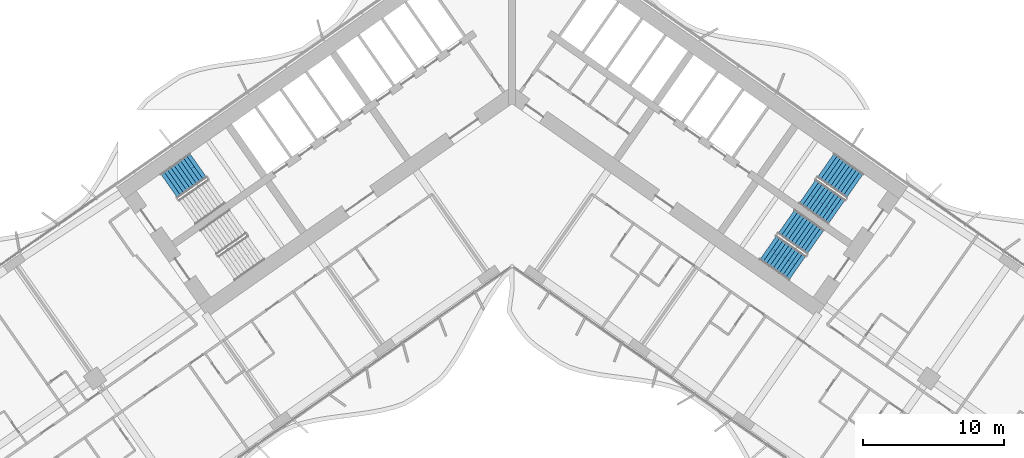
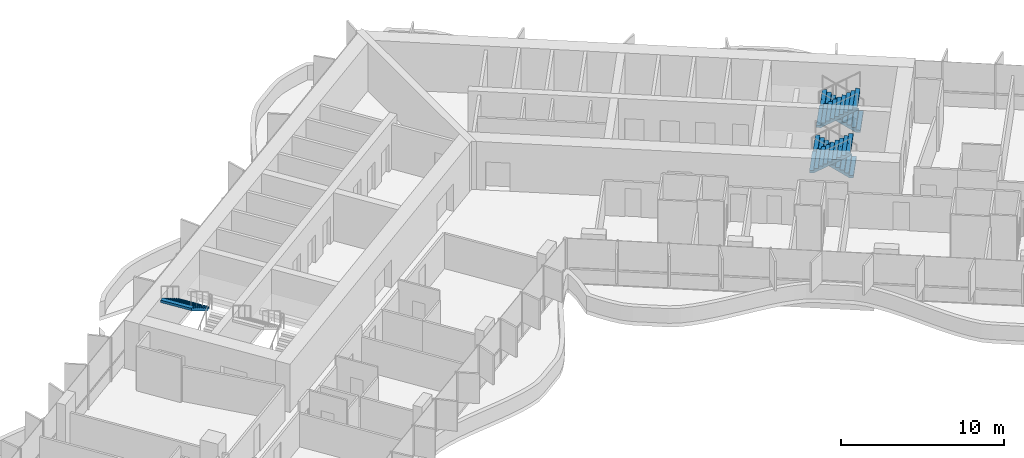
# One storey, part 18 of 24: 5 stair flights, 3 elements without a shape of their own.
"""IFC4 building model written with IfcOpenShell, lengths in metres."""

from ifc_helpers import new_model, si_unit, direction, frame, origin, place, context, subcontext, project, spatial, polyline, outline, extrude, material, type_object, element, aggregate, save


model = new_model("IFC4")

# Units and contexts
model_context = context("Model", 3, precision=1e-05, world=origin(), true_north=direction((0.0, 1.0)))
body_context = subcontext(model_context, "Body", "Model", "MODEL_VIEW")
ifc_project = project(units=[si_unit("LENGTHUNIT", "METRE"), si_unit("AREAUNIT", "SQUARE_METRE"), si_unit("VOLUMEUNIT", "CUBIC_METRE"), si_unit("PLANEANGLEUNIT", "RADIAN"), si_unit("MASSUNIT", "GRAM", prefix="KILO")], contexts=[model_context])

# Site, building, storey
site_placement = place(None, origin())
site = spatial("IfcSite", under=ifc_project, at=site_placement, CompositionType="ELEMENT")
building_placement = place(site_placement, origin())
building = spatial("IfcBuilding", under=site, at=building_placement, Name="Tel Ilan Convention Tower", CompositionType="ELEMENT")
storey_placement = place(building_placement, frame((0.0, 0.0, 65.300048828125)))
storey = spatial("IfcBuildingStorey", under=building, at=storey_placement, Name="L11", CompositionType="ELEMENT", Elevation=65.300048828125)

# Stair, stair flight
ifc_material_1 = material(Name="Concrete C40/50", Category="concrete")
stair_type = type_object("IfcStairType", Name="Pressurised Exit Stair 20 risers 180 mm", PredefinedType="HALF_TURN_STAIR", material=ifc_material_1)
stair_1_placement = place(storey_placement, origin())
stair_1 = element("IfcStair", 1, at=stair_1_placement, inside=storey, type_object=stair_type, Name="L11 Pressurised Stair S1", PredefinedType="HALF_TURN_STAIR")
ifc_material_2 = material(Name="Precast Concrete C40/50", Category="concrete")
stair_flight_type = type_object("IfcStairFlightType", Name="Concrete Stair Flight 2100 mm 20 risers 180 mm", PredefinedType="STRAIGHT", material=ifc_material_2)
stair_flight_1_placement = place(storey_placement, frame((-22.188232421875, -5.5869140625, 1.800048828125), z_axis=(0.0, 0.0, 1.0), x_axis=(-0.819152044289, -0.573576436351, 0.0)))
stair_flight_1 = element("IfcStairFlight", 2, at=stair_flight_1_placement, type_object=stair_flight_type, Name="S1 flight 2", NumberOfRisers=10, NumberOfTreads=9, PredefinedType="STRAIGHT", RiserHeight=0.18, TreadLength=0.28, context=body_context, shape_type="SweptSolid", body=[
    extrude(outline(polyline([(0.0, 0.0), (0.0, 0.179931640625), (0.280029296875, 0.179931640625), (0.280029296875, 0.360107421875), (0.56005859375, 0.360107421875), (0.56005859375, 0.5400390625), (0.840087890625, 0.5400390625), (0.840087890625, 0.719970703125), (1.1201171875, 0.719970703125), (1.1201171875, 0.89990234375), (1.39990234375, 0.89990234375), (1.39990234375, 1.080078125), (1.679931640625, 1.080078125), (1.679931640625, 1.260009765625), (1.9599609375, 1.260009765625), (1.9599609375, 1.43994140625), (2.239990234375, 1.43994140625), (2.239990234375, 1.6201171875), (2.52001953125, 1.6201171875), (2.52001953125, 1.800048828125), (2.52001953125, 1.44189453125), (0.277099609375, 0.0), (0.0, 0.0)])), frame((0.0, -0.100341796875, 0.0), z_axis=(0.0, -1.0, 0.0), x_axis=(1.0, 0.0, 0.0)), (0.0, 0.0, 1.0), 0.94970703125),
    extrude(outline(polyline([(0.0, 0.0), (0.0, 0.179931640625), (0.280029296875, 0.179931640625), (0.280029296875, 0.360107421875), (0.56005859375, 0.360107421875), (0.56005859375, 0.5400390625), (0.840087890625, 0.5400390625), (0.840087890625, 0.719970703125), (1.1201171875, 0.719970703125), (1.1201171875, 0.89990234375), (1.39990234375, 0.89990234375), (1.39990234375, 1.080078125), (1.679931640625, 1.080078125), (1.679931640625, 1.260009765625), (1.9599609375, 1.260009765625), (1.9599609375, 1.43994140625), (2.239990234375, 1.43994140625), (2.239990234375, 1.6201171875), (2.52001953125, 1.6201171875), (2.52001953125, 1.800048828125), (2.52001953125, 1.44189453125), (0.277099609375, 0.0), (0.0, 0.0)])), frame((0.0, -0.000244140625, 0.0), z_axis=(0.0, -1.0, 0.0), x_axis=(1.0, 0.0, 0.0)), (0.0, 0.0, 1.0), 0.099609375),
    extrude(outline(polyline([(0.0, 0.0), (0.0, 0.179931640625), (0.280029296875, 0.179931640625), (0.280029296875, 0.360107421875), (0.56005859375, 0.360107421875), (0.56005859375, 0.5400390625), (0.840087890625, 0.5400390625), (0.840087890625, 0.719970703125), (1.1201171875, 0.719970703125), (1.1201171875, 0.89990234375), (1.39990234375, 0.89990234375), (1.39990234375, 1.080078125), (1.679931640625, 1.080078125), (1.679931640625, 1.260009765625), (1.9599609375, 1.260009765625), (1.9599609375, 1.43994140625), (2.239990234375, 1.43994140625), (2.239990234375, 1.6201171875), (2.52001953125, 1.6201171875), (2.52001953125, 1.800048828125), (2.52001953125, 1.44189453125), (0.277099609375, 0.0), (0.0, 0.0)])), frame((0.0, 0.099853515625, 0.0), z_axis=(0.0, -1.0, 0.0), x_axis=(1.0, 0.0, 0.0)), (0.0, 0.0, 1.0), 0.099609375),
    extrude(outline(polyline([(0.0, 0.0), (0.0, 0.179931640625), (0.280029296875, 0.179931640625), (0.280029296875, 0.360107421875), (0.56005859375, 0.360107421875), (0.56005859375, 0.5400390625), (0.840087890625, 0.5400390625), (0.840087890625, 0.719970703125), (1.1201171875, 0.719970703125), (1.1201171875, 0.89990234375), (1.39990234375, 0.89990234375), (1.39990234375, 1.080078125), (1.679931640625, 1.080078125), (1.679931640625, 1.260009765625), (1.9599609375, 1.260009765625), (1.9599609375, 1.43994140625), (2.239990234375, 1.43994140625), (2.239990234375, 1.6201171875), (2.52001953125, 1.6201171875), (2.52001953125, 1.800048828125), (2.52001953125, 1.44189453125), (0.277099609375, 0.0), (0.0, 0.0)])), frame((0.0, 1.050048828125, 0.0), z_axis=(0.0, -1.0, 0.0), x_axis=(1.0, 0.0, 0.0)), (0.0, 0.0, 1.0), 0.94970703125),
])
aggregate(stair_1, [stair_flight_1])

# Stair, stair flights
stair_2_placement = place(storey_placement, origin())
stair_2 = element("IfcStair", 3, at=stair_2_placement, inside=storey, type_object=stair_type, Name="L11 Pressurised Stair S3", PredefinedType="HALF_TURN_STAIR")
stair_flight_2_placement = place(storey_placement, frame((24.25244140625, -7.032470703125, 0.0), z_axis=(0.0, 0.0, 1.0), x_axis=(-0.819152044289, 0.573576436351, 0.0)))
stair_flight_2 = element("IfcStairFlight", 4, at=stair_flight_2_placement, type_object=stair_flight_type, Name="S3 flight 1", NumberOfRisers=10, NumberOfTreads=9, PredefinedType="STRAIGHT", RiserHeight=0.18, TreadLength=0.28, context=body_context, shape_type="SweptSolid", body=[
    extrude(outline(polyline([(0.0, 0.0), (0.0, 0.179931640625), (0.280029296875, 0.179931640625), (0.280029296875, 0.360107421875), (0.56005859375, 0.360107421875), (0.56005859375, 0.5400390625), (0.840087890625, 0.5400390625), (0.840087890625, 0.719970703125), (1.1201171875, 0.719970703125), (1.1201171875, 0.89990234375), (1.39990234375, 0.89990234375), (1.39990234375, 1.080078125), (1.679931640625, 1.080078125), (1.679931640625, 1.260009765625), (1.9599609375, 1.260009765625), (1.9599609375, 1.43994140625), (2.239990234375, 1.43994140625), (2.239990234375, 1.6201171875), (2.52001953125, 1.6201171875), (2.52001953125, 1.800048828125), (2.52001953125, 1.44189453125), (0.277099609375, 0.0), (0.0, 0.0)])), frame((0.0, -0.100341796875, 0.0), z_axis=(0.0, -1.0, 0.0), x_axis=(1.0, 0.0, 0.0)), (0.0, 0.0, 1.0), 0.94970703125),
    extrude(outline(polyline([(0.0, 0.0), (0.0, 0.179931640625), (0.280029296875, 0.179931640625), (0.280029296875, 0.360107421875), (0.56005859375, 0.360107421875), (0.56005859375, 0.5400390625), (0.840087890625, 0.5400390625), (0.840087890625, 0.719970703125), (1.1201171875, 0.719970703125), (1.1201171875, 0.89990234375), (1.39990234375, 0.89990234375), (1.39990234375, 1.080078125), (1.679931640625, 1.080078125), (1.679931640625, 1.260009765625), (1.9599609375, 1.260009765625), (1.9599609375, 1.43994140625), (2.239990234375, 1.43994140625), (2.239990234375, 1.6201171875), (2.52001953125, 1.6201171875), (2.52001953125, 1.800048828125), (2.52001953125, 1.44189453125), (0.277099609375, 0.0), (0.0, 0.0)])), frame((0.0, -0.000244140625, 0.0), z_axis=(0.0, -1.0, 0.0), x_axis=(1.0, 0.0, 0.0)), (0.0, 0.0, 1.0), 0.099609375),
    extrude(outline(polyline([(0.0, 0.0), (0.0, 0.179931640625), (0.280029296875, 0.179931640625), (0.280029296875, 0.360107421875), (0.56005859375, 0.360107421875), (0.56005859375, 0.5400390625), (0.840087890625, 0.5400390625), (0.840087890625, 0.719970703125), (1.1201171875, 0.719970703125), (1.1201171875, 0.89990234375), (1.39990234375, 0.89990234375), (1.39990234375, 1.080078125), (1.679931640625, 1.080078125), (1.679931640625, 1.260009765625), (1.9599609375, 1.260009765625), (1.9599609375, 1.43994140625), (2.239990234375, 1.43994140625), (2.239990234375, 1.6201171875), (2.52001953125, 1.6201171875), (2.52001953125, 1.800048828125), (2.52001953125, 1.44189453125), (0.277099609375, 0.0), (0.0, 0.0)])), frame((0.0, 0.099853515625, 0.0), z_axis=(0.0, -1.0, 0.0), x_axis=(1.0, 0.0, 0.0)), (0.0, 0.0, 1.0), 0.099609375),
    extrude(outline(polyline([(0.0, 0.0), (0.0, 0.179931640625), (0.280029296875, 0.179931640625), (0.280029296875, 0.360107421875), (0.56005859375, 0.360107421875), (0.56005859375, 0.5400390625), (0.840087890625, 0.5400390625), (0.840087890625, 0.719970703125), (1.1201171875, 0.719970703125), (1.1201171875, 0.89990234375), (1.39990234375, 0.89990234375), (1.39990234375, 1.080078125), (1.679931640625, 1.080078125), (1.679931640625, 1.260009765625), (1.9599609375, 1.260009765625), (1.9599609375, 1.43994140625), (2.239990234375, 1.43994140625), (2.239990234375, 1.6201171875), (2.52001953125, 1.6201171875), (2.52001953125, 1.800048828125), (2.52001953125, 1.44189453125), (0.277099609375, 0.0), (0.0, 0.0)])), frame((0.0, 1.050048828125, 0.0), z_axis=(0.0, -1.0, 0.0), x_axis=(1.0, 0.0, 0.0)), (0.0, 0.0, 1.0), 0.94970703125),
])
stair_flight_3_placement = place(storey_placement, frame((20.8974609375, -7.43017578125, 1.800048828125), z_axis=(0.0, 0.0, 1.0), x_axis=(0.819152044289, -0.573576436351, 0.0)))
stair_flight_3 = element("IfcStairFlight", 5, at=stair_flight_3_placement, type_object=stair_flight_type, Name="S3 flight 2", NumberOfRisers=10, NumberOfTreads=9, PredefinedType="STRAIGHT", RiserHeight=0.18, TreadLength=0.28, context=body_context, shape_type="SweptSolid", body=[
    extrude(outline(polyline([(0.0, 0.0), (0.0, 0.179931640625), (0.280029296875, 0.179931640625), (0.280029296875, 0.360107421875), (0.56005859375, 0.360107421875), (0.56005859375, 0.5400390625), (0.840087890625, 0.5400390625), (0.840087890625, 0.719970703125), (1.1201171875, 0.719970703125), (1.1201171875, 0.89990234375), (1.39990234375, 0.89990234375), (1.39990234375, 1.080078125), (1.679931640625, 1.080078125), (1.679931640625, 1.260009765625), (1.9599609375, 1.260009765625), (1.9599609375, 1.43994140625), (2.239990234375, 1.43994140625), (2.239990234375, 1.6201171875), (2.52001953125, 1.6201171875), (2.52001953125, 1.800048828125), (2.52001953125, 1.44189453125), (0.277099609375, 0.0), (0.0, 0.0)])), frame((0.0, -0.100341796875, 0.0), z_axis=(0.0, -1.0, 0.0), x_axis=(1.0, 0.0, 0.0)), (0.0, 0.0, 1.0), 0.94970703125),
    extrude(outline(polyline([(0.0, 0.0), (0.0, 0.179931640625), (0.280029296875, 0.179931640625), (0.280029296875, 0.360107421875), (0.56005859375, 0.360107421875), (0.56005859375, 0.5400390625), (0.840087890625, 0.5400390625), (0.840087890625, 0.719970703125), (1.1201171875, 0.719970703125), (1.1201171875, 0.89990234375), (1.39990234375, 0.89990234375), (1.39990234375, 1.080078125), (1.679931640625, 1.080078125), (1.679931640625, 1.260009765625), (1.9599609375, 1.260009765625), (1.9599609375, 1.43994140625), (2.239990234375, 1.43994140625), (2.239990234375, 1.6201171875), (2.52001953125, 1.6201171875), (2.52001953125, 1.800048828125), (2.52001953125, 1.44189453125), (0.277099609375, 0.0), (0.0, 0.0)])), frame((0.0, -0.000244140625, 0.0), z_axis=(0.0, -1.0, 0.0), x_axis=(1.0, 0.0, 0.0)), (0.0, 0.0, 1.0), 0.099609375),
    extrude(outline(polyline([(0.0, 0.0), (0.0, 0.179931640625), (0.280029296875, 0.179931640625), (0.280029296875, 0.360107421875), (0.56005859375, 0.360107421875), (0.56005859375, 0.5400390625), (0.840087890625, 0.5400390625), (0.840087890625, 0.719970703125), (1.1201171875, 0.719970703125), (1.1201171875, 0.89990234375), (1.39990234375, 0.89990234375), (1.39990234375, 1.080078125), (1.679931640625, 1.080078125), (1.679931640625, 1.260009765625), (1.9599609375, 1.260009765625), (1.9599609375, 1.43994140625), (2.239990234375, 1.43994140625), (2.239990234375, 1.6201171875), (2.52001953125, 1.6201171875), (2.52001953125, 1.800048828125), (2.52001953125, 1.44189453125), (0.277099609375, 0.0), (0.0, 0.0)])), frame((0.0, 0.099853515625, 0.0), z_axis=(0.0, -1.0, 0.0), x_axis=(1.0, 0.0, 0.0)), (0.0, 0.0, 1.0), 0.099609375),
    extrude(outline(polyline([(0.0, 0.0), (0.0, 0.179931640625), (0.280029296875, 0.179931640625), (0.280029296875, 0.360107421875), (0.56005859375, 0.360107421875), (0.56005859375, 0.5400390625), (0.840087890625, 0.5400390625), (0.840087890625, 0.719970703125), (1.1201171875, 0.719970703125), (1.1201171875, 0.89990234375), (1.39990234375, 0.89990234375), (1.39990234375, 1.080078125), (1.679931640625, 1.080078125), (1.679931640625, 1.260009765625), (1.9599609375, 1.260009765625), (1.9599609375, 1.43994140625), (2.239990234375, 1.43994140625), (2.239990234375, 1.6201171875), (2.52001953125, 1.6201171875), (2.52001953125, 1.800048828125), (2.52001953125, 1.44189453125), (0.277099609375, 0.0), (0.0, 0.0)])), frame((0.0, 1.050048828125, 0.0), z_axis=(0.0, -1.0, 0.0), x_axis=(1.0, 0.0, 0.0)), (0.0, 0.0, 1.0), 0.94970703125),
])
aggregate(stair_2, [stair_flight_2, stair_flight_3])

stair_3_placement = place(storey_placement, origin())
stair_3 = element("IfcStair", 6, at=stair_3_placement, inside=storey, type_object=stair_type, Name="L11 Pressurised Stair S4", PredefinedType="HALF_TURN_STAIR")
stair_flight_4_placement = place(storey_placement, frame((21.470458984375, -11.00537109375, 0.0), z_axis=(0.0, 0.0, 1.0), x_axis=(-0.819152044289, 0.573576436351, 0.0)))
stair_flight_4 = element("IfcStairFlight", 7, at=stair_flight_4_placement, type_object=stair_flight_type, Name="S4 flight 1", NumberOfRisers=10, NumberOfTreads=9, PredefinedType="STRAIGHT", RiserHeight=0.18, TreadLength=0.28, context=body_context, shape_type="SweptSolid", body=[
    extrude(outline(polyline([(0.0, 0.0), (0.0, 0.179931640625), (0.280029296875, 0.179931640625), (0.280029296875, 0.360107421875), (0.56005859375, 0.360107421875), (0.56005859375, 0.5400390625), (0.840087890625, 0.5400390625), (0.840087890625, 0.719970703125), (1.1201171875, 0.719970703125), (1.1201171875, 0.89990234375), (1.39990234375, 0.89990234375), (1.39990234375, 1.080078125), (1.679931640625, 1.080078125), (1.679931640625, 1.260009765625), (1.9599609375, 1.260009765625), (1.9599609375, 1.43994140625), (2.239990234375, 1.43994140625), (2.239990234375, 1.6201171875), (2.52001953125, 1.6201171875), (2.52001953125, 1.800048828125), (2.52001953125, 1.44189453125), (0.277099609375, 0.0), (0.0, 0.0)])), frame((0.0, -0.100341796875, 0.0), z_axis=(0.0, -1.0, 0.0), x_axis=(1.0, 0.0, 0.0)), (0.0, 0.0, 1.0), 0.94970703125),
    extrude(outline(polyline([(0.0, 0.0), (0.0, 0.179931640625), (0.280029296875, 0.179931640625), (0.280029296875, 0.360107421875), (0.56005859375, 0.360107421875), (0.56005859375, 0.5400390625), (0.840087890625, 0.5400390625), (0.840087890625, 0.719970703125), (1.1201171875, 0.719970703125), (1.1201171875, 0.89990234375), (1.39990234375, 0.89990234375), (1.39990234375, 1.080078125), (1.679931640625, 1.080078125), (1.679931640625, 1.260009765625), (1.9599609375, 1.260009765625), (1.9599609375, 1.43994140625), (2.239990234375, 1.43994140625), (2.239990234375, 1.6201171875), (2.52001953125, 1.6201171875), (2.52001953125, 1.800048828125), (2.52001953125, 1.44189453125), (0.277099609375, 0.0), (0.0, 0.0)])), frame((0.0, -0.000244140625, 0.0), z_axis=(0.0, -1.0, 0.0), x_axis=(1.0, 0.0, 0.0)), (0.0, 0.0, 1.0), 0.099609375),
    extrude(outline(polyline([(0.0, 0.0), (0.0, 0.179931640625), (0.280029296875, 0.179931640625), (0.280029296875, 0.360107421875), (0.56005859375, 0.360107421875), (0.56005859375, 0.5400390625), (0.840087890625, 0.5400390625), (0.840087890625, 0.719970703125), (1.1201171875, 0.719970703125), (1.1201171875, 0.89990234375), (1.39990234375, 0.89990234375), (1.39990234375, 1.080078125), (1.679931640625, 1.080078125), (1.679931640625, 1.260009765625), (1.9599609375, 1.260009765625), (1.9599609375, 1.43994140625), (2.239990234375, 1.43994140625), (2.239990234375, 1.6201171875), (2.52001953125, 1.6201171875), (2.52001953125, 1.800048828125), (2.52001953125, 1.44189453125), (0.277099609375, 0.0), (0.0, 0.0)])), frame((0.0, 0.099853515625, 0.0), z_axis=(0.0, -1.0, 0.0), x_axis=(1.0, 0.0, 0.0)), (0.0, 0.0, 1.0), 0.099609375),
    extrude(outline(polyline([(0.0, 0.0), (0.0, 0.179931640625), (0.280029296875, 0.179931640625), (0.280029296875, 0.360107421875), (0.56005859375, 0.360107421875), (0.56005859375, 0.5400390625), (0.840087890625, 0.5400390625), (0.840087890625, 0.719970703125), (1.1201171875, 0.719970703125), (1.1201171875, 0.89990234375), (1.39990234375, 0.89990234375), (1.39990234375, 1.080078125), (1.679931640625, 1.080078125), (1.679931640625, 1.260009765625), (1.9599609375, 1.260009765625), (1.9599609375, 1.43994140625), (2.239990234375, 1.43994140625), (2.239990234375, 1.6201171875), (2.52001953125, 1.6201171875), (2.52001953125, 1.800048828125), (2.52001953125, 1.44189453125), (0.277099609375, 0.0), (0.0, 0.0)])), frame((0.0, 1.050048828125, 0.0), z_axis=(0.0, -1.0, 0.0), x_axis=(1.0, 0.0, 0.0)), (0.0, 0.0, 1.0), 0.94970703125),
])
stair_flight_5_placement = place(storey_placement, frame((18.11572265625, -11.403076171875, 1.800048828125), z_axis=(0.0, 0.0, 1.0), x_axis=(0.819152044289, -0.573576436351, 0.0)))
stair_flight_5 = element("IfcStairFlight", 8, at=stair_flight_5_placement, type_object=stair_flight_type, Name="S4 flight 2", NumberOfRisers=10, NumberOfTreads=9, PredefinedType="STRAIGHT", RiserHeight=0.18, TreadLength=0.28, context=body_context, shape_type="SweptSolid", body=[
    extrude(outline(polyline([(0.0, 0.0), (0.0, 0.179931640625), (0.280029296875, 0.179931640625), (0.280029296875, 0.360107421875), (0.56005859375, 0.360107421875), (0.56005859375, 0.5400390625), (0.840087890625, 0.5400390625), (0.840087890625, 0.719970703125), (1.1201171875, 0.719970703125), (1.1201171875, 0.89990234375), (1.39990234375, 0.89990234375), (1.39990234375, 1.080078125), (1.679931640625, 1.080078125), (1.679931640625, 1.260009765625), (1.9599609375, 1.260009765625), (1.9599609375, 1.43994140625), (2.239990234375, 1.43994140625), (2.239990234375, 1.6201171875), (2.52001953125, 1.6201171875), (2.52001953125, 1.800048828125), (2.52001953125, 1.44189453125), (0.277099609375, 0.0), (0.0, 0.0)])), frame((0.0, -0.100341796875, 0.0), z_axis=(0.0, -1.0, 0.0), x_axis=(1.0, 0.0, 0.0)), (0.0, 0.0, 1.0), 0.94970703125),
    extrude(outline(polyline([(0.0, 0.0), (0.0, 0.179931640625), (0.280029296875, 0.179931640625), (0.280029296875, 0.360107421875), (0.56005859375, 0.360107421875), (0.56005859375, 0.5400390625), (0.840087890625, 0.5400390625), (0.840087890625, 0.719970703125), (1.1201171875, 0.719970703125), (1.1201171875, 0.89990234375), (1.39990234375, 0.89990234375), (1.39990234375, 1.080078125), (1.679931640625, 1.080078125), (1.679931640625, 1.260009765625), (1.9599609375, 1.260009765625), (1.9599609375, 1.43994140625), (2.239990234375, 1.43994140625), (2.239990234375, 1.6201171875), (2.52001953125, 1.6201171875), (2.52001953125, 1.800048828125), (2.52001953125, 1.44189453125), (0.277099609375, 0.0), (0.0, 0.0)])), frame((0.0, -0.000244140625, 0.0), z_axis=(0.0, -1.0, 0.0), x_axis=(1.0, 0.0, 0.0)), (0.0, 0.0, 1.0), 0.099609375),
    extrude(outline(polyline([(0.0, 0.0), (0.0, 0.179931640625), (0.280029296875, 0.179931640625), (0.280029296875, 0.360107421875), (0.56005859375, 0.360107421875), (0.56005859375, 0.5400390625), (0.840087890625, 0.5400390625), (0.840087890625, 0.719970703125), (1.1201171875, 0.719970703125), (1.1201171875, 0.89990234375), (1.39990234375, 0.89990234375), (1.39990234375, 1.080078125), (1.679931640625, 1.080078125), (1.679931640625, 1.260009765625), (1.9599609375, 1.260009765625), (1.9599609375, 1.43994140625), (2.239990234375, 1.43994140625), (2.239990234375, 1.6201171875), (2.52001953125, 1.6201171875), (2.52001953125, 1.800048828125), (2.52001953125, 1.44189453125), (0.277099609375, 0.0), (0.0, 0.0)])), frame((0.0, 0.099853515625, 0.0), z_axis=(0.0, -1.0, 0.0), x_axis=(1.0, 0.0, 0.0)), (0.0, 0.0, 1.0), 0.099609375),
    extrude(outline(polyline([(0.0, 0.0), (0.0, 0.179931640625), (0.280029296875, 0.179931640625), (0.280029296875, 0.360107421875), (0.56005859375, 0.360107421875), (0.56005859375, 0.5400390625), (0.840087890625, 0.5400390625), (0.840087890625, 0.719970703125), (1.1201171875, 0.719970703125), (1.1201171875, 0.89990234375), (1.39990234375, 0.89990234375), (1.39990234375, 1.080078125), (1.679931640625, 1.080078125), (1.679931640625, 1.260009765625), (1.9599609375, 1.260009765625), (1.9599609375, 1.43994140625), (2.239990234375, 1.43994140625), (2.239990234375, 1.6201171875), (2.52001953125, 1.6201171875), (2.52001953125, 1.800048828125), (2.52001953125, 1.44189453125), (0.277099609375, 0.0), (0.0, 0.0)])), frame((0.0, 1.050048828125, 0.0), z_axis=(0.0, -1.0, 0.0), x_axis=(1.0, 0.0, 0.0)), (0.0, 0.0, 1.0), 0.94970703125),
])
aggregate(stair_3, [stair_flight_4, stair_flight_5])

save(model, "model.ifc")
